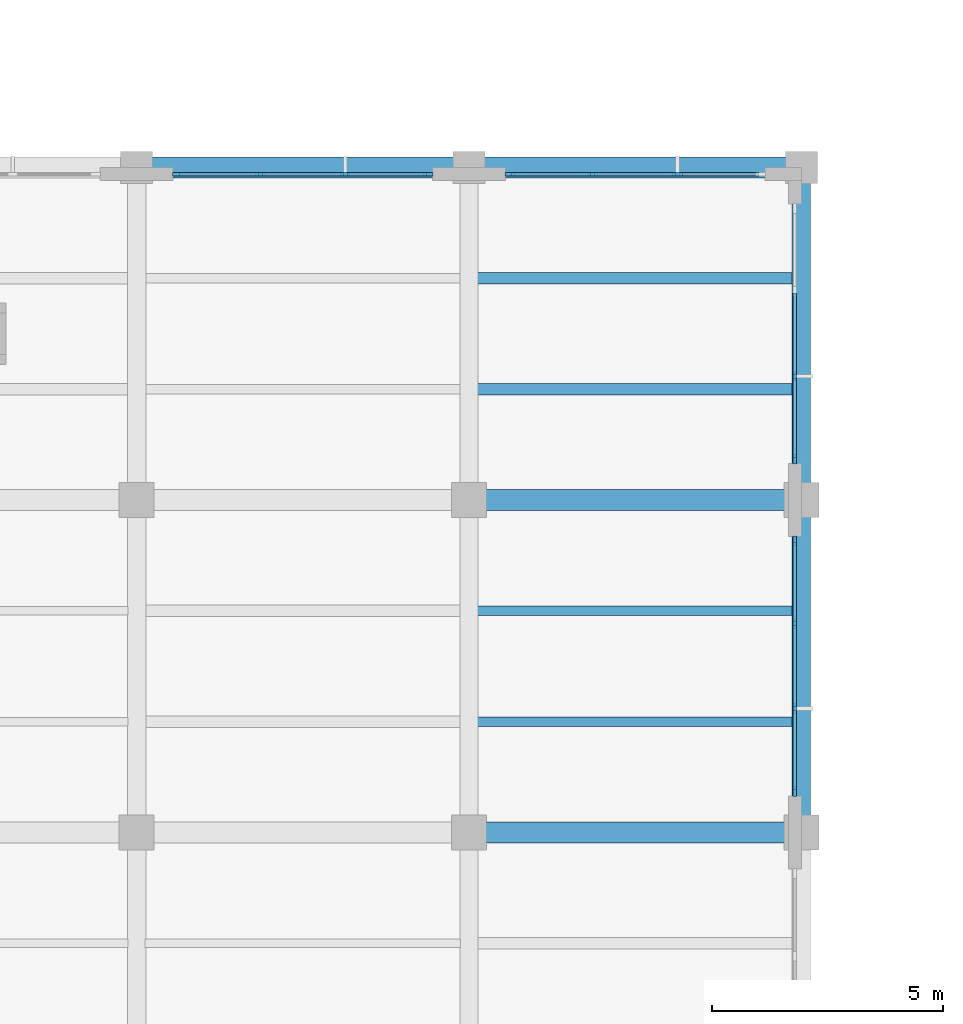
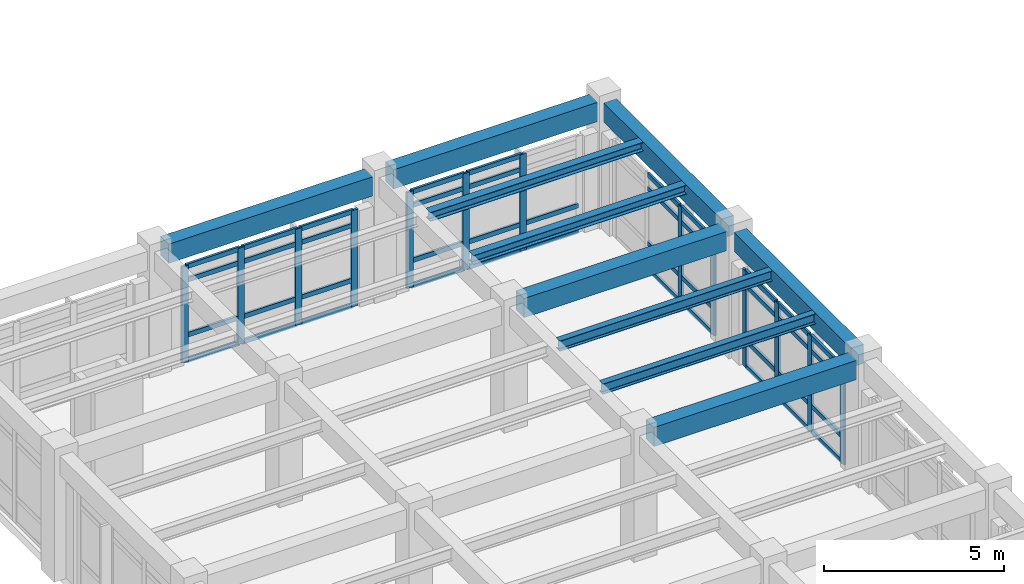
# One storey, part 20 of 64: 55 members, 10 beams, 4 elements without a shape of their own.
"""IFC4 building model written with IfcOpenShell, lengths in metres."""

from ifc_helpers import new_model, si_unit, direction, frame, origin, origin_2d, place, context, subcontext, project, spatial, rectangle, i_section, extrude, material, layer, layer_set, material_profile, profile_set, type_object, element, aggregate, save


model = new_model("IFC4")

# Units and contexts
model_context = context("Model", 3, precision=1e-05, world=origin(), true_north=direction((0.0, 1.0)))
body_context = subcontext(model_context, "Body", "Model", "MODEL_VIEW")
ifc_project = project(units=[si_unit("LENGTHUNIT", "METRE"), si_unit("AREAUNIT", "SQUARE_METRE"), si_unit("VOLUMEUNIT", "CUBIC_METRE"), si_unit("PLANEANGLEUNIT", "RADIAN"), si_unit("MASSUNIT", "GRAM", prefix="KILO")], contexts=[model_context])

# Site, building, storey
site_placement = place(None, origin())
site = spatial("IfcSite", under=ifc_project, at=site_placement, CompositionType="ELEMENT")
building_placement = place(site_placement, origin())
building = spatial("IfcBuilding", under=site, at=building_placement, Name="Solenvale Faculty of Natural Sciences", CompositionType="ELEMENT")
storey_placement = place(building_placement, frame((0.0, 0.0, 18.0)))
storey = spatial("IfcBuildingStorey", under=building, at=storey_placement, Name="L04", CompositionType="ELEMENT", Elevation=18.0)

# Beams
ifc_material_1 = material(Name="Concrete 40 MPa", Category="concrete")
ifc_material_profile_1 = material_profile(ifc_material_1, rectangle(XDim=0.39990234375, YDim=0.64990234375, at=origin_2d()), Name="RC-BM-400x650")
ifc_profile_set_1 = profile_set([ifc_material_profile_1], Name="Concrete 40 MPa")
beam_type_1 = type_object("IfcBeamType", Name="BM-RC-400x650", PredefinedType="BEAM", material=ifc_profile_set_1)
beam_1_placement = place(storey_placement, frame((57.60009765625, 79.554931640625, 3.89501953125), z_axis=(0.0, 1.0, 0.0), x_axis=(-1.0, 0.0, 0.0)))
element("IfcBeam", 1, at=beam_1_placement, inside=storey, type_object=beam_type_1, Name="L04 Y-Girder X57.6 (79.2..86.4)", PredefinedType="BEAM", context=body_context, shape_type="SweptSolid", body=[
    extrude(rectangle(XDim=0.39990234375, YDim=0.64990234375, at=origin_2d()), origin(), (0.0, 0.0, 1.0), 6.489990234375),
])
beam_2_placement = place(storey_placement, frame((57.60009765625, 86.7548828125, 3.89501953125), z_axis=(0.0, 1.0, 0.0), x_axis=(-1.0, 0.0, 0.0)))
element("IfcBeam", 2, at=beam_2_placement, inside=storey, type_object=beam_type_1, Name="L04 Y-Girder X57.6 (86.4..93.6)", PredefinedType="BEAM", context=body_context, shape_type="SweptSolid", body=[
    extrude(rectangle(XDim=0.39990234375, YDim=0.64990234375, at=origin_2d()), origin(), (0.0, 0.0, 1.0), 6.51513671875),
])
ifc_material_profile_2 = material_profile(ifc_material_1, rectangle(XDim=0.449951171875, YDim=0.64990234375, at=origin_2d()), Name="RC-BM-450x650")
ifc_profile_set_2 = profile_set([ifc_material_profile_2], Name="Concrete 40 MPa")
beam_type_2 = type_object("IfcBeamType", Name="BM-RC-450x650", PredefinedType="BEAM", material=ifc_profile_set_2)
for number, where, z_axis, x_axis, name in (
    (3, (50.7548828125, 79.199951171875, 3.89501953125), (1.0, 0.0, 0.0), (0.0, 1.0, 0.0), "L04 X-Girder Y79.2 (50.4..57.6)"),
    (4, (50.7548828125, 86.39990234375, 3.89501953125), (1.0, 0.0, 0.0), (0.0, 1.0, 0.0), "L04 X-Girder Y86.4 (50.4..57.6)"),
):
    element("IfcBeam", number, at=place(storey_placement, frame(where, z_axis=z_axis, x_axis=x_axis)), inside=storey, type_object=beam_type_2, Name=name, PredefinedType="BEAM", context=body_context, shape_type="SweptSolid", body=[
        extrude(rectangle(XDim=0.449951171875, YDim=0.64990234375, at=origin_2d()), origin(), (0.0, 0.0, 1.0), 6.490234375),
    ])
for number, where, z_axis, x_axis, name in (
    (5, (43.530029296875, 93.60009765625, 3.89501953125), (1.0, 0.0, 0.0), (0.0, 1.0, 0.0), "L04 X-Girder Y93.6 (43.2..50.4)"),
    (6, (50.72998046875, 93.60009765625, 3.89501953125), (1.0, 0.0, 0.0), (0.0, 1.0, 0.0), "L04 X-Girder Y93.6 (50.4..57.6)"),
):
    element("IfcBeam", number, at=place(storey_placement, frame(where, z_axis=z_axis, x_axis=x_axis)), inside=storey, type_object=beam_type_2, Name=name, PredefinedType="BEAM", context=body_context, shape_type="SweptSolid", body=[
        extrude(rectangle(XDim=0.449951171875, YDim=0.64990234375, at=origin_2d()), origin(), (0.0, 0.0, 1.0), 6.5400390625),
    ])
ifc_material_2 = material(Name="Steel S355", Category="steel")
ifc_material_profile_3 = material_profile(ifc_material_2, i_section(OverallWidth=0.25390625, OverallDepth=0.305908203125, WebThickness=0.0087890625, FlangeThickness=0.0146484375, FilletRadius=0.014892578125, at=origin_2d()), Name="W310x79")
ifc_profile_set_3 = profile_set([ifc_material_profile_3], Name="Steel S355")
beam_type_3 = type_object("IfcBeamType", Name="BM-STL-W310x79", PredefinedType="JOIST", material=ifc_profile_set_3)
for number, where, z_axis, x_axis, name in (
    (7, (50.580078125, 88.800048828125, 4.06689453125), (1.0, 0.0, 0.0), (0.0, 1.0, 0.0), "L04 Composite Floor Joist (8,13).1"),
    (8, (50.580078125, 91.199951171875, 4.06689453125), (1.0, 0.0, 0.0), (0.0, 1.0, 0.0), "L04 Composite Floor Joist (8,13).2"),
):
    element("IfcBeam", number, at=place(storey_placement, frame(where, z_axis=z_axis, x_axis=x_axis)), inside=storey, type_object=beam_type_3, Name=name, PredefinedType="JOIST", context=body_context, shape_type="SweptSolid", body=[
        extrude(i_section(OverallWidth=0.25390625, OverallDepth=0.305908203125, WebThickness=0.0087890625, FlangeThickness=0.0146484375, FilletRadius=0.014892578125, at=origin_2d()), origin(), (0.0, 0.0, 1.0), 6.83984375),
    ])
ifc_material_profile_4 = material_profile(ifc_material_2, i_section(OverallWidth=0.2041015625, OverallDepth=0.35009765625, WebThickness=0.008544921875, FlangeThickness=0.01513671875, FilletRadius=0.014892578125, at=origin_2d()), Name="W360x72")
ifc_profile_set_4 = profile_set([ifc_material_profile_4], Name="Steel S355")
beam_type_4 = type_object("IfcBeamType", Name="BM-STL-W360x72", PredefinedType="JOIST", material=ifc_profile_set_4)
for number, where, z_axis, x_axis, name in (
    (9, (50.580078125, 81.60009765625, 4.044921875), (1.0, 0.0, 0.0), (0.0, 1.0, 0.0), "L04 Composite Floor Joist (8,12).1"),
    (10, (50.580078125, 84.0, 4.044921875), (1.0, 0.0, 0.0), (0.0, 1.0, 0.0), "L04 Composite Floor Joist (8,12).2"),
):
    element("IfcBeam", number, at=place(storey_placement, frame(where, z_axis=z_axis, x_axis=x_axis)), inside=storey, type_object=beam_type_4, Name=name, PredefinedType="JOIST", context=body_context, shape_type="SweptSolid", body=[
        extrude(i_section(OverallWidth=0.2041015625, OverallDepth=0.35009765625, WebThickness=0.008544921875, FlangeThickness=0.01513671875, FilletRadius=0.014892578125, at=origin_2d()), origin(), (0.0, 0.0, 1.0), 6.83984375),
    ])

# Curtain wall, members
ifc_material_3 = material(Name="Anodised bronze aluminium", Category="aluminium")
ifc_layer = layer(ifc_material_3, 0.215087890625)
ifc_layer_set = layer_set([ifc_layer], Name="Anodised bronze aluminium")
curtain_wall_type = type_object("IfcCurtainWallType", Name="CW-ATR-UNIT", PredefinedType="USERDEFINED", material=ifc_layer_set)
curtain_wall_1_placement = place(storey_placement, origin())
curtain_wall_1 = element("IfcCurtainWall", 11, at=curtain_wall_1_placement, inside=storey, type_object=curtain_wall_type, Name="L04 Curtain Wall CW-L04-P1-E1-B7", ObjectType="UNITISED CURTAIN WALL", PredefinedType="USERDEFINED")
ifc_material_profile_5 = material_profile(ifc_material_3, rectangle(XDim=0.074951171875, YDim=0.2099609375, at=origin_2d()), Name="ALU-MUL-75x210")
ifc_profile_set_5 = profile_set([ifc_material_profile_5], Name="Anodised bronze aluminium")
member_type_1 = type_object("IfcMemberType", Name="CWM-ALU-75x210", PredefinedType="MULLION", material=ifc_profile_set_5)
member_1_placement = place(storey_placement, frame((57.45751953125, 80.08740234375, 0.0), z_axis=(0.0, 0.0, 1.0), x_axis=(-1.0, 0.0, 0.0)))
member_1 = element("IfcMember", 12, at=member_1_placement, type_object=member_type_1, Name="CW-01 mullion 1", PredefinedType="MULLION", context=body_context, shape_type="SweptSolid", body=[
    extrude(rectangle(XDim=0.074951171875, YDim=0.2099609375, at=origin_2d()), origin(), (0.0, 0.0, 1.0), 3.260009765625),
])
member_2_placement = place(storey_placement, frame((57.45751953125, 81.88330078125, 0.0), z_axis=(0.0, 0.0, 1.0), x_axis=(-1.0, 0.0, 0.0)))
member_2 = element("IfcMember", 13, at=member_2_placement, type_object=member_type_1, Name="CW-01 mullion 2", PredefinedType="MULLION", context=body_context, shape_type="SweptSolid", body=[
    extrude(rectangle(XDim=0.074951171875, YDim=0.2099609375, at=origin_2d()), origin(), (0.0, 0.0, 1.0), 3.260009765625),
])
member_3_placement = place(storey_placement, frame((57.45751953125, 83.716552734375, 0.0), z_axis=(0.0, 0.0, 1.0), x_axis=(-1.0, 0.0, 0.0)))
member_3 = element("IfcMember", 14, at=member_3_placement, type_object=member_type_1, Name="CW-01 mullion 3", PredefinedType="MULLION", context=body_context, shape_type="SweptSolid", body=[
    extrude(rectangle(XDim=0.074951171875, YDim=0.2099609375, at=origin_2d()), origin(), (0.0, 0.0, 1.0), 3.260009765625),
])
member_4_placement = place(storey_placement, frame((57.45751953125, 85.512451171875, 0.0), z_axis=(0.0, 0.0, 1.0), x_axis=(-1.0, 0.0, 0.0)))
member_4 = element("IfcMember", 15, at=member_4_placement, type_object=member_type_1, Name="CW-01 mullion 4", PredefinedType="MULLION", context=body_context, shape_type="SweptSolid", body=[
    extrude(rectangle(XDim=0.074951171875, YDim=0.2099609375, at=origin_2d()), origin(), (0.0, 0.0, 1.0), 3.260009765625),
])

curtain_wall_2_placement = place(storey_placement, origin())
curtain_wall_2 = element("IfcCurtainWall", 16, at=curtain_wall_2_placement, inside=storey, type_object=curtain_wall_type, Name="L04 Curtain Wall CW-L04-P1-E1-B8", ObjectType="UNITISED CURTAIN WALL", PredefinedType="USERDEFINED")
member_5_placement = place(storey_placement, frame((57.45751953125, 87.28759765625, 0.0), z_axis=(0.0, 0.0, 1.0), x_axis=(-1.0, 0.0, 0.0)))
member_5 = element("IfcMember", 17, at=member_5_placement, type_object=member_type_1, Name="CW-01 mullion 1", PredefinedType="MULLION", context=body_context, shape_type="SweptSolid", body=[
    extrude(rectangle(XDim=0.074951171875, YDim=0.2099609375, at=origin_2d()), origin(), (0.0, 0.0, 1.0), 3.260009765625),
])
member_6_placement = place(storey_placement, frame((57.45751953125, 89.083251953125, 0.0), z_axis=(0.0, 0.0, 1.0), x_axis=(-1.0, 0.0, 0.0)))
member_6 = element("IfcMember", 18, at=member_6_placement, type_object=member_type_1, Name="CW-01 mullion 2", PredefinedType="MULLION", context=body_context, shape_type="SweptSolid", body=[
    extrude(rectangle(XDim=0.074951171875, YDim=0.2099609375, at=origin_2d()), origin(), (0.0, 0.0, 1.0), 3.260009765625),
])

curtain_wall_3_placement = place(storey_placement, origin())
curtain_wall_3 = element("IfcCurtainWall", 19, at=curtain_wall_3_placement, inside=storey, type_object=curtain_wall_type, Name="L04 Curtain Wall CW-L04-P1-E2-B1", ObjectType="UNITISED CURTAIN WALL", PredefinedType="USERDEFINED")
member_7_placement = place(storey_placement, frame((54.916748046875, 93.45751953125, 0.0), z_axis=(0.0, 0.0, 1.0), x_axis=(0.0, -1.0, 0.0)))
member_7 = element("IfcMember", 20, at=member_7_placement, type_object=member_type_1, Name="CW-01 mullion 2", PredefinedType="MULLION", context=body_context, shape_type="SweptSolid", body=[
    extrude(rectangle(XDim=0.074951171875, YDim=0.2099609375, at=origin_2d()), origin(), (0.0, 0.0, 1.0), 3.260009765625),
])
member_8_placement = place(storey_placement, frame((53.083251953125, 93.45751953125, 0.0), z_axis=(0.0, 0.0, 1.0), x_axis=(0.0, -1.0, 0.0)))
member_8 = element("IfcMember", 21, at=member_8_placement, type_object=member_type_1, Name="CW-01 mullion 3", PredefinedType="MULLION", context=body_context, shape_type="SweptSolid", body=[
    extrude(rectangle(XDim=0.074951171875, YDim=0.2099609375, at=origin_2d()), origin(), (0.0, 0.0, 1.0), 3.260009765625),
])
member_9_placement = place(storey_placement, frame((51.28759765625, 93.45751953125, 0.0), z_axis=(0.0, 0.0, 1.0), x_axis=(0.0, -1.0, 0.0)))
member_9 = element("IfcMember", 22, at=member_9_placement, type_object=member_type_1, Name="CW-01 mullion 4", PredefinedType="MULLION", context=body_context, shape_type="SweptSolid", body=[
    extrude(rectangle(XDim=0.074951171875, YDim=0.2099609375, at=origin_2d()), origin(), (0.0, 0.0, 1.0), 3.260009765625),
])

curtain_wall_4_placement = place(storey_placement, origin())
curtain_wall_4 = element("IfcCurtainWall", 23, at=curtain_wall_4_placement, inside=storey, type_object=curtain_wall_type, Name="L04 Curtain Wall CW-L04-P1-E2-B2", ObjectType="UNITISED CURTAIN WALL", PredefinedType="USERDEFINED")
member_10_placement = place(storey_placement, frame((49.512451171875, 93.45751953125, 0.0), z_axis=(0.0, 0.0, 1.0), x_axis=(0.0, -1.0, 0.0)))
member_10 = element("IfcMember", 24, at=member_10_placement, type_object=member_type_1, Name="CW-01 mullion 1", PredefinedType="MULLION", context=body_context, shape_type="SweptSolid", body=[
    extrude(rectangle(XDim=0.074951171875, YDim=0.2099609375, at=origin_2d()), origin(), (0.0, 0.0, 1.0), 3.260009765625),
])
member_11_placement = place(storey_placement, frame((47.716552734375, 93.45751953125, 0.0), z_axis=(0.0, 0.0, 1.0), x_axis=(0.0, -1.0, 0.0)))
member_11 = element("IfcMember", 25, at=member_11_placement, type_object=member_type_1, Name="CW-01 mullion 2", PredefinedType="MULLION", context=body_context, shape_type="SweptSolid", body=[
    extrude(rectangle(XDim=0.074951171875, YDim=0.2099609375, at=origin_2d()), origin(), (0.0, 0.0, 1.0), 3.260009765625),
])
member_12_placement = place(storey_placement, frame((45.88330078125, 93.45751953125, 0.0), z_axis=(0.0, 0.0, 1.0), x_axis=(0.0, -1.0, 0.0)))
member_12 = element("IfcMember", 26, at=member_12_placement, type_object=member_type_1, Name="CW-01 mullion 3", PredefinedType="MULLION", context=body_context, shape_type="SweptSolid", body=[
    extrude(rectangle(XDim=0.074951171875, YDim=0.2099609375, at=origin_2d()), origin(), (0.0, 0.0, 1.0), 3.260009765625),
])
member_13_placement = place(storey_placement, frame((44.08740234375, 93.45751953125, 0.0), z_axis=(0.0, 0.0, 1.0), x_axis=(0.0, -1.0, 0.0)))
member_13 = element("IfcMember", 27, at=member_13_placement, type_object=member_type_1, Name="CW-01 mullion 4", PredefinedType="MULLION", context=body_context, shape_type="SweptSolid", body=[
    extrude(rectangle(XDim=0.074951171875, YDim=0.2099609375, at=origin_2d()), origin(), (0.0, 0.0, 1.0), 3.260009765625),
])

# Member
ifc_material_profile_6 = material_profile(ifc_material_3, rectangle(XDim=0.074951171875, YDim=0.155029296875, at=origin_2d()), Name="ALU-TRN-75x155")
ifc_profile_set_6 = profile_set([ifc_material_profile_6], Name="Anodised bronze aluminium")
member_type_2 = type_object("IfcMemberType", Name="CWT-ALU-75x155", PredefinedType="USERDEFINED", material=ifc_profile_set_6)
member_14_placement = place(storey_placement, frame((57.45751953125, 80.125, 0.03759765625), z_axis=(0.0, 1.0, 0.0), x_axis=(-1.0, 0.0, 0.0)))
member_14 = element("IfcMember", 28, at=member_14_placement, type_object=member_type_2, Name="CW-01 transom 1.1", ObjectType="TRANSOM", PredefinedType="USERDEFINED", context=body_context, shape_type="SweptSolid", body=[
    extrude(rectangle(XDim=0.074951171875, YDim=0.155029296875, at=origin_2d()), origin(), (0.0, 0.0, 1.0), 1.720947265625),
])

member_15_placement = place(storey_placement, frame((57.45751953125, 80.125, 0.89990234375), z_axis=(0.0, 1.0, 0.0), x_axis=(-1.0, 0.0, 0.0)))
member_15 = element("IfcMember", 29, at=member_15_placement, type_object=member_type_2, Name="CW-01 transom 1.2", ObjectType="TRANSOM", PredefinedType="USERDEFINED", context=body_context, shape_type="SweptSolid", body=[
    extrude(rectangle(XDim=0.074951171875, YDim=0.155029296875, at=origin_2d()), origin(), (0.0, 0.0, 1.0), 1.720947265625),
])

member_16_placement = place(storey_placement, frame((57.45751953125, 80.125, 2.760009765625), z_axis=(0.0, 1.0, 0.0), x_axis=(-1.0, 0.0, 0.0)))
member_16 = element("IfcMember", 30, at=member_16_placement, type_object=member_type_2, Name="CW-01 transom 1.3", ObjectType="TRANSOM", PredefinedType="USERDEFINED", context=body_context, shape_type="SweptSolid", body=[
    extrude(rectangle(XDim=0.074951171875, YDim=0.155029296875, at=origin_2d()), origin(), (0.0, 0.0, 1.0), 1.720947265625),
])

member_17_placement = place(storey_placement, frame((57.45751953125, 80.125, 3.222412109375), z_axis=(0.0, 1.0, 0.0), x_axis=(-1.0, 0.0, 0.0)))
member_17 = element("IfcMember", 31, at=member_17_placement, type_object=member_type_2, Name="CW-01 transom 1.4", ObjectType="TRANSOM", PredefinedType="USERDEFINED", context=body_context, shape_type="SweptSolid", body=[
    extrude(rectangle(XDim=0.074951171875, YDim=0.155029296875, at=origin_2d()), origin(), (0.0, 0.0, 1.0), 1.720947265625),
])

member_18_placement = place(storey_placement, frame((57.45751953125, 81.9208984375, 0.03759765625), z_axis=(0.0, 1.0, 0.0), x_axis=(-1.0, 0.0, 0.0)))
member_18 = element("IfcMember", 32, at=member_18_placement, type_object=member_type_2, Name="CW-01 transom 2.1", ObjectType="TRANSOM", PredefinedType="USERDEFINED", context=body_context, shape_type="SweptSolid", body=[
    extrude(rectangle(XDim=0.074951171875, YDim=0.155029296875, at=origin_2d()), origin(), (0.0, 0.0, 1.0), 1.75830078125),
])

member_19_placement = place(storey_placement, frame((57.45751953125, 81.9208984375, 0.89990234375), z_axis=(0.0, 1.0, 0.0), x_axis=(-1.0, 0.0, 0.0)))
member_19 = element("IfcMember", 33, at=member_19_placement, type_object=member_type_2, Name="CW-01 transom 2.2", ObjectType="TRANSOM", PredefinedType="USERDEFINED", context=body_context, shape_type="SweptSolid", body=[
    extrude(rectangle(XDim=0.074951171875, YDim=0.155029296875, at=origin_2d()), origin(), (0.0, 0.0, 1.0), 1.75830078125),
])

member_20_placement = place(storey_placement, frame((57.45751953125, 81.9208984375, 2.760009765625), z_axis=(0.0, 1.0, 0.0), x_axis=(-1.0, 0.0, 0.0)))
member_20 = element("IfcMember", 34, at=member_20_placement, type_object=member_type_2, Name="CW-01 transom 2.3", ObjectType="TRANSOM", PredefinedType="USERDEFINED", context=body_context, shape_type="SweptSolid", body=[
    extrude(rectangle(XDim=0.074951171875, YDim=0.155029296875, at=origin_2d()), origin(), (0.0, 0.0, 1.0), 1.75830078125),
])

member_21_placement = place(storey_placement, frame((57.45751953125, 81.9208984375, 3.222412109375), z_axis=(0.0, 1.0, 0.0), x_axis=(-1.0, 0.0, 0.0)))
member_21 = element("IfcMember", 35, at=member_21_placement, type_object=member_type_2, Name="CW-01 transom 2.4", ObjectType="TRANSOM", PredefinedType="USERDEFINED", context=body_context, shape_type="SweptSolid", body=[
    extrude(rectangle(XDim=0.074951171875, YDim=0.155029296875, at=origin_2d()), origin(), (0.0, 0.0, 1.0), 1.75830078125),
])

member_22_placement = place(storey_placement, frame((57.45751953125, 83.754150390625, 0.03759765625), z_axis=(0.0, 1.0, 0.0), x_axis=(-1.0, 0.0, 0.0)))
member_22 = element("IfcMember", 36, at=member_22_placement, type_object=member_type_2, Name="CW-01 transom 3.1", ObjectType="TRANSOM", PredefinedType="USERDEFINED", context=body_context, shape_type="SweptSolid", body=[
    extrude(rectangle(XDim=0.074951171875, YDim=0.155029296875, at=origin_2d()), origin(), (0.0, 0.0, 1.0), 1.720947265625),
])

member_23_placement = place(storey_placement, frame((57.45751953125, 83.754150390625, 0.89990234375), z_axis=(0.0, 1.0, 0.0), x_axis=(-1.0, 0.0, 0.0)))
member_23 = element("IfcMember", 37, at=member_23_placement, type_object=member_type_2, Name="CW-01 transom 3.2", ObjectType="TRANSOM", PredefinedType="USERDEFINED", context=body_context, shape_type="SweptSolid", body=[
    extrude(rectangle(XDim=0.074951171875, YDim=0.155029296875, at=origin_2d()), origin(), (0.0, 0.0, 1.0), 1.720947265625),
])

member_24_placement = place(storey_placement, frame((57.45751953125, 83.754150390625, 2.760009765625), z_axis=(0.0, 1.0, 0.0), x_axis=(-1.0, 0.0, 0.0)))
member_24 = element("IfcMember", 38, at=member_24_placement, type_object=member_type_2, Name="CW-01 transom 3.3", ObjectType="TRANSOM", PredefinedType="USERDEFINED", context=body_context, shape_type="SweptSolid", body=[
    extrude(rectangle(XDim=0.074951171875, YDim=0.155029296875, at=origin_2d()), origin(), (0.0, 0.0, 1.0), 1.720947265625),
])

member_25_placement = place(storey_placement, frame((57.45751953125, 83.754150390625, 3.222412109375), z_axis=(0.0, 1.0, 0.0), x_axis=(-1.0, 0.0, 0.0)))
member_25 = element("IfcMember", 39, at=member_25_placement, type_object=member_type_2, Name="CW-01 transom 3.4", ObjectType="TRANSOM", PredefinedType="USERDEFINED", context=body_context, shape_type="SweptSolid", body=[
    extrude(rectangle(XDim=0.074951171875, YDim=0.155029296875, at=origin_2d()), origin(), (0.0, 0.0, 1.0), 1.720947265625),
])

aggregate(curtain_wall_1, [member_1, member_2, member_3, member_4, member_14, member_15, member_16, member_17, member_18, member_19, member_20, member_21, member_22, member_23, member_24, member_25])

member_26_placement = place(storey_placement, frame((57.45751953125, 87.324951171875, 0.03759765625), z_axis=(0.0, 1.0, 0.0), x_axis=(-1.0, 0.0, 0.0)))
member_26 = element("IfcMember", 40, at=member_26_placement, type_object=member_type_2, Name="CW-01 transom 1.1", ObjectType="TRANSOM", PredefinedType="USERDEFINED", context=body_context, shape_type="SweptSolid", body=[
    extrude(rectangle(XDim=0.074951171875, YDim=0.155029296875, at=origin_2d()), origin(), (0.0, 0.0, 1.0), 1.720947265625),
])

member_27_placement = place(storey_placement, frame((57.45751953125, 87.324951171875, 0.89990234375), z_axis=(0.0, 1.0, 0.0), x_axis=(-1.0, 0.0, 0.0)))
member_27 = element("IfcMember", 41, at=member_27_placement, type_object=member_type_2, Name="CW-01 transom 1.2", ObjectType="TRANSOM", PredefinedType="USERDEFINED", context=body_context, shape_type="SweptSolid", body=[
    extrude(rectangle(XDim=0.074951171875, YDim=0.155029296875, at=origin_2d()), origin(), (0.0, 0.0, 1.0), 1.720947265625),
])

member_28_placement = place(storey_placement, frame((57.45751953125, 87.324951171875, 2.760009765625), z_axis=(0.0, 1.0, 0.0), x_axis=(-1.0, 0.0, 0.0)))
member_28 = element("IfcMember", 42, at=member_28_placement, type_object=member_type_2, Name="CW-01 transom 1.3", ObjectType="TRANSOM", PredefinedType="USERDEFINED", context=body_context, shape_type="SweptSolid", body=[
    extrude(rectangle(XDim=0.074951171875, YDim=0.155029296875, at=origin_2d()), origin(), (0.0, 0.0, 1.0), 1.720947265625),
])

member_29_placement = place(storey_placement, frame((57.45751953125, 87.324951171875, 3.222412109375), z_axis=(0.0, 1.0, 0.0), x_axis=(-1.0, 0.0, 0.0)))
member_29 = element("IfcMember", 43, at=member_29_placement, type_object=member_type_2, Name="CW-01 transom 1.4", ObjectType="TRANSOM", PredefinedType="USERDEFINED", context=body_context, shape_type="SweptSolid", body=[
    extrude(rectangle(XDim=0.074951171875, YDim=0.155029296875, at=origin_2d()), origin(), (0.0, 0.0, 1.0), 1.720947265625),
])

member_30_placement = place(storey_placement, frame((57.45751953125, 89.120849609375, 0.03759765625), z_axis=(0.0, 1.0, 0.0), x_axis=(-1.0, 0.0, 0.0)))
member_30 = element("IfcMember", 44, at=member_30_placement, type_object=member_type_2, Name="CW-01 transom 2.1", ObjectType="TRANSOM", PredefinedType="USERDEFINED", context=body_context, shape_type="SweptSolid", body=[
    extrude(rectangle(XDim=0.074951171875, YDim=0.155029296875, at=origin_2d()), origin(), (0.0, 0.0, 1.0), 1.75830078125),
])

member_31_placement = place(storey_placement, frame((57.45751953125, 89.120849609375, 0.89990234375), z_axis=(0.0, 1.0, 0.0), x_axis=(-1.0, 0.0, 0.0)))
member_31 = element("IfcMember", 45, at=member_31_placement, type_object=member_type_2, Name="CW-01 transom 2.2", ObjectType="TRANSOM", PredefinedType="USERDEFINED", context=body_context, shape_type="SweptSolid", body=[
    extrude(rectangle(XDim=0.074951171875, YDim=0.155029296875, at=origin_2d()), origin(), (0.0, 0.0, 1.0), 1.75830078125),
])

member_32_placement = place(storey_placement, frame((57.45751953125, 89.120849609375, 2.760009765625), z_axis=(0.0, 1.0, 0.0), x_axis=(-1.0, 0.0, 0.0)))
member_32 = element("IfcMember", 46, at=member_32_placement, type_object=member_type_2, Name="CW-01 transom 2.3", ObjectType="TRANSOM", PredefinedType="USERDEFINED", context=body_context, shape_type="SweptSolid", body=[
    extrude(rectangle(XDim=0.074951171875, YDim=0.155029296875, at=origin_2d()), origin(), (0.0, 0.0, 1.0), 1.75830078125),
])

member_33_placement = place(storey_placement, frame((57.45751953125, 89.120849609375, 3.222412109375), z_axis=(0.0, 1.0, 0.0), x_axis=(-1.0, 0.0, 0.0)))
member_33 = element("IfcMember", 47, at=member_33_placement, type_object=member_type_2, Name="CW-01 transom 2.4", ObjectType="TRANSOM", PredefinedType="USERDEFINED", context=body_context, shape_type="SweptSolid", body=[
    extrude(rectangle(XDim=0.074951171875, YDim=0.155029296875, at=origin_2d()), origin(), (0.0, 0.0, 1.0), 1.75830078125),
])

aggregate(curtain_wall_2, [member_5, member_6, member_26, member_27, member_28, member_29, member_30, member_31, member_32, member_33])

member_34_placement = place(storey_placement, frame((56.675048828125, 93.45751953125, 0.03759765625), z_axis=(-1.0, 0.0, 0.0), x_axis=(0.0, -1.0, 0.0)))
member_34 = element("IfcMember", 48, at=member_34_placement, type_object=member_type_2, Name="CW-01 transom 1.1", ObjectType="TRANSOM", PredefinedType="USERDEFINED", context=body_context, shape_type="SweptSolid", body=[
    extrude(rectangle(XDim=0.074951171875, YDim=0.155029296875, at=origin_2d()), origin(), (0.0, 0.0, 1.0), 1.720947265625),
])

member_35_placement = place(storey_placement, frame((56.675048828125, 93.45751953125, 0.89990234375), z_axis=(-1.0, 0.0, 0.0), x_axis=(0.0, -1.0, 0.0)))
member_35 = element("IfcMember", 49, at=member_35_placement, type_object=member_type_2, Name="CW-01 transom 1.2", ObjectType="TRANSOM", PredefinedType="USERDEFINED", context=body_context, shape_type="SweptSolid", body=[
    extrude(rectangle(XDim=0.074951171875, YDim=0.155029296875, at=origin_2d()), origin(), (0.0, 0.0, 1.0), 1.720947265625),
])

member_36_placement = place(storey_placement, frame((54.879150390625, 93.45751953125, 0.03759765625), z_axis=(-1.0, 0.0, 0.0), x_axis=(0.0, -1.0, 0.0)))
member_36 = element("IfcMember", 50, at=member_36_placement, type_object=member_type_2, Name="CW-01 transom 2.1", ObjectType="TRANSOM", PredefinedType="USERDEFINED", context=body_context, shape_type="SweptSolid", body=[
    extrude(rectangle(XDim=0.074951171875, YDim=0.155029296875, at=origin_2d()), origin(), (0.0, 0.0, 1.0), 1.75830078125),
])

member_37_placement = place(storey_placement, frame((54.879150390625, 93.45751953125, 0.89990234375), z_axis=(-1.0, 0.0, 0.0), x_axis=(0.0, -1.0, 0.0)))
member_37 = element("IfcMember", 51, at=member_37_placement, type_object=member_type_2, Name="CW-01 transom 2.2", ObjectType="TRANSOM", PredefinedType="USERDEFINED", context=body_context, shape_type="SweptSolid", body=[
    extrude(rectangle(XDim=0.074951171875, YDim=0.155029296875, at=origin_2d()), origin(), (0.0, 0.0, 1.0), 1.75830078125),
])

member_38_placement = place(storey_placement, frame((54.879150390625, 93.45751953125, 2.760009765625), z_axis=(-1.0, 0.0, 0.0), x_axis=(0.0, -1.0, 0.0)))
member_38 = element("IfcMember", 52, at=member_38_placement, type_object=member_type_2, Name="CW-01 transom 2.3", ObjectType="TRANSOM", PredefinedType="USERDEFINED", context=body_context, shape_type="SweptSolid", body=[
    extrude(rectangle(XDim=0.074951171875, YDim=0.155029296875, at=origin_2d()), origin(), (0.0, 0.0, 1.0), 1.75830078125),
])

member_39_placement = place(storey_placement, frame((54.879150390625, 93.45751953125, 3.222412109375), z_axis=(-1.0, 0.0, 0.0), x_axis=(0.0, -1.0, 0.0)))
member_39 = element("IfcMember", 53, at=member_39_placement, type_object=member_type_2, Name="CW-01 transom 2.4", ObjectType="TRANSOM", PredefinedType="USERDEFINED", context=body_context, shape_type="SweptSolid", body=[
    extrude(rectangle(XDim=0.074951171875, YDim=0.155029296875, at=origin_2d()), origin(), (0.0, 0.0, 1.0), 1.75830078125),
])

member_40_placement = place(storey_placement, frame((53.0458984375, 93.45751953125, 0.03759765625), z_axis=(-1.0, 0.0, 0.0), x_axis=(0.0, -1.0, 0.0)))
member_40 = element("IfcMember", 54, at=member_40_placement, type_object=member_type_2, Name="CW-01 transom 3.1", ObjectType="TRANSOM", PredefinedType="USERDEFINED", context=body_context, shape_type="SweptSolid", body=[
    extrude(rectangle(XDim=0.074951171875, YDim=0.155029296875, at=origin_2d()), origin(), (0.0, 0.0, 1.0), 1.720947265625),
])

member_41_placement = place(storey_placement, frame((53.0458984375, 93.45751953125, 0.89990234375), z_axis=(-1.0, 0.0, 0.0), x_axis=(0.0, -1.0, 0.0)))
member_41 = element("IfcMember", 55, at=member_41_placement, type_object=member_type_2, Name="CW-01 transom 3.2", ObjectType="TRANSOM", PredefinedType="USERDEFINED", context=body_context, shape_type="SweptSolid", body=[
    extrude(rectangle(XDim=0.074951171875, YDim=0.155029296875, at=origin_2d()), origin(), (0.0, 0.0, 1.0), 1.720947265625),
])

member_42_placement = place(storey_placement, frame((53.0458984375, 93.45751953125, 2.760009765625), z_axis=(-1.0, 0.0, 0.0), x_axis=(0.0, -1.0, 0.0)))
member_42 = element("IfcMember", 56, at=member_42_placement, type_object=member_type_2, Name="CW-01 transom 3.3", ObjectType="TRANSOM", PredefinedType="USERDEFINED", context=body_context, shape_type="SweptSolid", body=[
    extrude(rectangle(XDim=0.074951171875, YDim=0.155029296875, at=origin_2d()), origin(), (0.0, 0.0, 1.0), 1.720947265625),
])

member_43_placement = place(storey_placement, frame((53.0458984375, 93.45751953125, 3.222412109375), z_axis=(-1.0, 0.0, 0.0), x_axis=(0.0, -1.0, 0.0)))
member_43 = element("IfcMember", 57, at=member_43_placement, type_object=member_type_2, Name="CW-01 transom 3.4", ObjectType="TRANSOM", PredefinedType="USERDEFINED", context=body_context, shape_type="SweptSolid", body=[
    extrude(rectangle(XDim=0.074951171875, YDim=0.155029296875, at=origin_2d()), origin(), (0.0, 0.0, 1.0), 1.720947265625),
])

aggregate(curtain_wall_3, [member_7, member_8, member_9, member_34, member_35, member_36, member_37, member_38, member_39, member_40, member_41, member_42, member_43])

member_44_placement = place(storey_placement, frame((49.47509765625, 93.45751953125, 0.03759765625), z_axis=(-1.0, 0.0, 0.0), x_axis=(0.0, -1.0, 0.0)))
member_44 = element("IfcMember", 58, at=member_44_placement, type_object=member_type_2, Name="CW-01 transom 1.1", ObjectType="TRANSOM", PredefinedType="USERDEFINED", context=body_context, shape_type="SweptSolid", body=[
    extrude(rectangle(XDim=0.074951171875, YDim=0.155029296875, at=origin_2d()), origin(), (0.0, 0.0, 1.0), 1.720947265625),
])

member_45_placement = place(storey_placement, frame((49.47509765625, 93.45751953125, 0.89990234375), z_axis=(-1.0, 0.0, 0.0), x_axis=(0.0, -1.0, 0.0)))
member_45 = element("IfcMember", 59, at=member_45_placement, type_object=member_type_2, Name="CW-01 transom 1.2", ObjectType="TRANSOM", PredefinedType="USERDEFINED", context=body_context, shape_type="SweptSolid", body=[
    extrude(rectangle(XDim=0.074951171875, YDim=0.155029296875, at=origin_2d()), origin(), (0.0, 0.0, 1.0), 1.720947265625),
])

member_46_placement = place(storey_placement, frame((49.47509765625, 93.45751953125, 2.760009765625), z_axis=(-1.0, 0.0, 0.0), x_axis=(0.0, -1.0, 0.0)))
member_46 = element("IfcMember", 60, at=member_46_placement, type_object=member_type_2, Name="CW-01 transom 1.3", ObjectType="TRANSOM", PredefinedType="USERDEFINED", context=body_context, shape_type="SweptSolid", body=[
    extrude(rectangle(XDim=0.074951171875, YDim=0.155029296875, at=origin_2d()), origin(), (0.0, 0.0, 1.0), 1.720947265625),
])

member_47_placement = place(storey_placement, frame((49.47509765625, 93.45751953125, 3.222412109375), z_axis=(-1.0, 0.0, 0.0), x_axis=(0.0, -1.0, 0.0)))
member_47 = element("IfcMember", 61, at=member_47_placement, type_object=member_type_2, Name="CW-01 transom 1.4", ObjectType="TRANSOM", PredefinedType="USERDEFINED", context=body_context, shape_type="SweptSolid", body=[
    extrude(rectangle(XDim=0.074951171875, YDim=0.155029296875, at=origin_2d()), origin(), (0.0, 0.0, 1.0), 1.720947265625),
])

member_48_placement = place(storey_placement, frame((47.67919921875, 93.45751953125, 0.03759765625), z_axis=(-1.0, 0.0, 0.0), x_axis=(0.0, -1.0, 0.0)))
member_48 = element("IfcMember", 62, at=member_48_placement, type_object=member_type_2, Name="CW-01 transom 2.1", ObjectType="TRANSOM", PredefinedType="USERDEFINED", context=body_context, shape_type="SweptSolid", body=[
    extrude(rectangle(XDim=0.074951171875, YDim=0.155029296875, at=origin_2d()), origin(), (0.0, 0.0, 1.0), 1.75830078125),
])

member_49_placement = place(storey_placement, frame((47.67919921875, 93.45751953125, 0.89990234375), z_axis=(-1.0, 0.0, 0.0), x_axis=(0.0, -1.0, 0.0)))
member_49 = element("IfcMember", 63, at=member_49_placement, type_object=member_type_2, Name="CW-01 transom 2.2", ObjectType="TRANSOM", PredefinedType="USERDEFINED", context=body_context, shape_type="SweptSolid", body=[
    extrude(rectangle(XDim=0.074951171875, YDim=0.155029296875, at=origin_2d()), origin(), (0.0, 0.0, 1.0), 1.75830078125),
])

member_50_placement = place(storey_placement, frame((47.67919921875, 93.45751953125, 2.760009765625), z_axis=(-1.0, 0.0, 0.0), x_axis=(0.0, -1.0, 0.0)))
member_50 = element("IfcMember", 64, at=member_50_placement, type_object=member_type_2, Name="CW-01 transom 2.3", ObjectType="TRANSOM", PredefinedType="USERDEFINED", context=body_context, shape_type="SweptSolid", body=[
    extrude(rectangle(XDim=0.074951171875, YDim=0.155029296875, at=origin_2d()), origin(), (0.0, 0.0, 1.0), 1.75830078125),
])

member_51_placement = place(storey_placement, frame((47.67919921875, 93.45751953125, 3.222412109375), z_axis=(-1.0, 0.0, 0.0), x_axis=(0.0, -1.0, 0.0)))
member_51 = element("IfcMember", 65, at=member_51_placement, type_object=member_type_2, Name="CW-01 transom 2.4", ObjectType="TRANSOM", PredefinedType="USERDEFINED", context=body_context, shape_type="SweptSolid", body=[
    extrude(rectangle(XDim=0.074951171875, YDim=0.155029296875, at=origin_2d()), origin(), (0.0, 0.0, 1.0), 1.75830078125),
])

member_52_placement = place(storey_placement, frame((45.845947265625, 93.45751953125, 0.03759765625), z_axis=(-1.0, 0.0, 0.0), x_axis=(0.0, -1.0, 0.0)))
member_52 = element("IfcMember", 66, at=member_52_placement, type_object=member_type_2, Name="CW-01 transom 3.1", ObjectType="TRANSOM", PredefinedType="USERDEFINED", context=body_context, shape_type="SweptSolid", body=[
    extrude(rectangle(XDim=0.074951171875, YDim=0.155029296875, at=origin_2d()), origin(), (0.0, 0.0, 1.0), 1.720947265625),
])

member_53_placement = place(storey_placement, frame((45.845947265625, 93.45751953125, 0.89990234375), z_axis=(-1.0, 0.0, 0.0), x_axis=(0.0, -1.0, 0.0)))
member_53 = element("IfcMember", 67, at=member_53_placement, type_object=member_type_2, Name="CW-01 transom 3.2", ObjectType="TRANSOM", PredefinedType="USERDEFINED", context=body_context, shape_type="SweptSolid", body=[
    extrude(rectangle(XDim=0.074951171875, YDim=0.155029296875, at=origin_2d()), origin(), (0.0, 0.0, 1.0), 1.720947265625),
])

member_54_placement = place(storey_placement, frame((45.845947265625, 93.45751953125, 2.760009765625), z_axis=(-1.0, 0.0, 0.0), x_axis=(0.0, -1.0, 0.0)))
member_54 = element("IfcMember", 68, at=member_54_placement, type_object=member_type_2, Name="CW-01 transom 3.3", ObjectType="TRANSOM", PredefinedType="USERDEFINED", context=body_context, shape_type="SweptSolid", body=[
    extrude(rectangle(XDim=0.074951171875, YDim=0.155029296875, at=origin_2d()), origin(), (0.0, 0.0, 1.0), 1.720947265625),
])

member_55_placement = place(storey_placement, frame((45.845947265625, 93.45751953125, 3.222412109375), z_axis=(-1.0, 0.0, 0.0), x_axis=(0.0, -1.0, 0.0)))
member_55 = element("IfcMember", 69, at=member_55_placement, type_object=member_type_2, Name="CW-01 transom 3.4", ObjectType="TRANSOM", PredefinedType="USERDEFINED", context=body_context, shape_type="SweptSolid", body=[
    extrude(rectangle(XDim=0.074951171875, YDim=0.155029296875, at=origin_2d()), origin(), (0.0, 0.0, 1.0), 1.720947265625),
])

aggregate(curtain_wall_4, [member_10, member_11, member_12, member_13, member_44, member_45, member_46, member_47, member_48, member_49, member_50, member_51, member_52, member_53, member_54, member_55])

save(model, "model.ifc")
